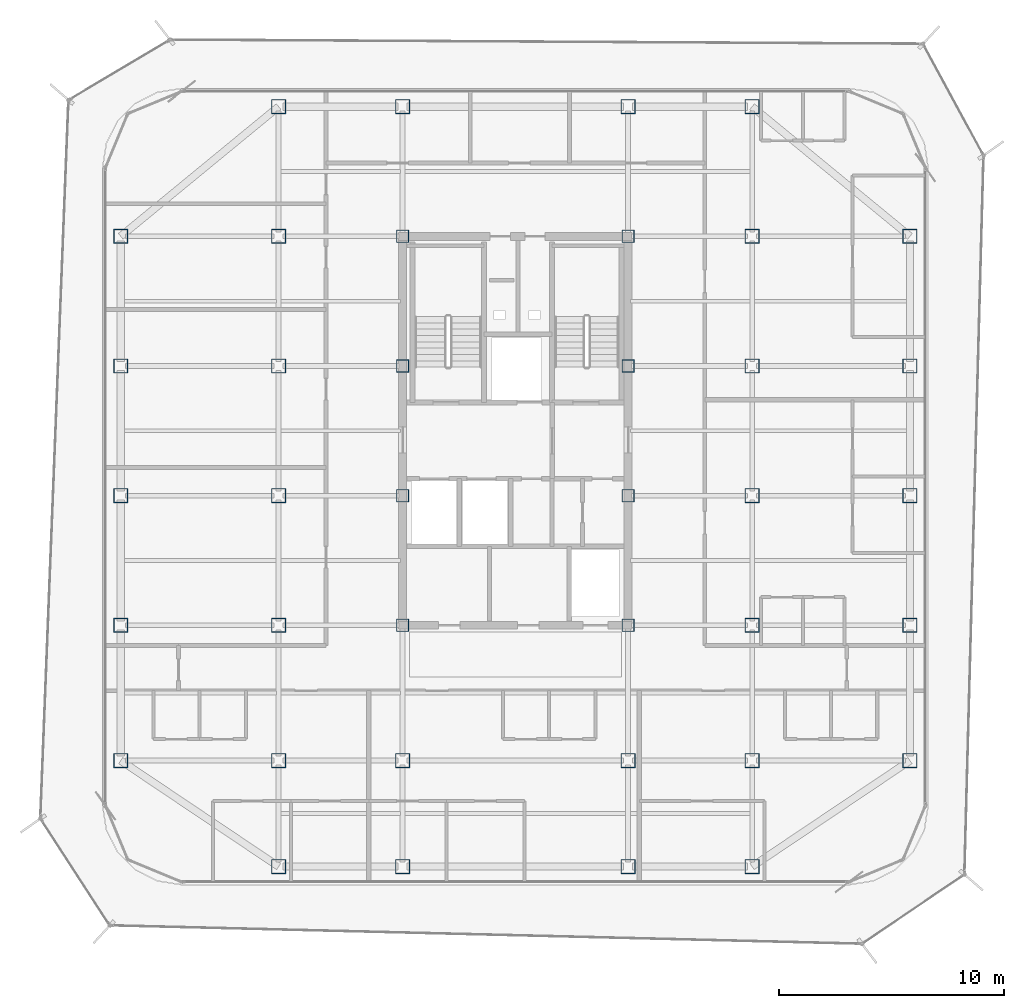
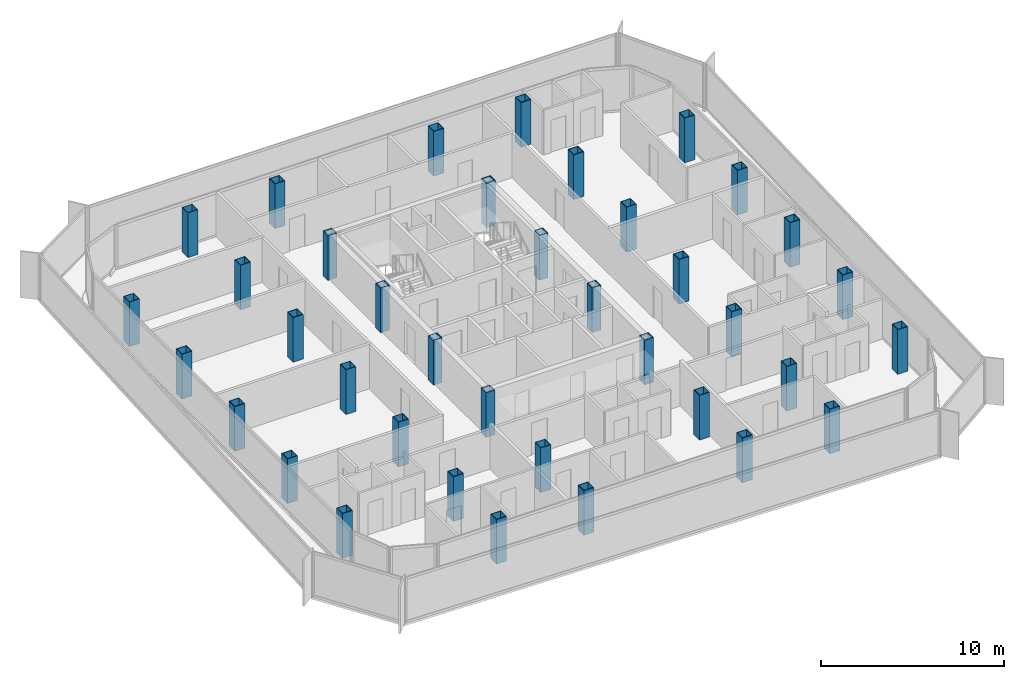
# One storey, part 1 of 15: 38 columns.
"""IFC4 building model written with IfcOpenShell, lengths in metres."""

from ifc_helpers import new_model, si_unit, direction, frame, origin, origin_2d, place, context, subcontext, project, spatial, hollow_rectangle, extrude, source, transform, mapped, material, material_profile, profile_set, type_object, element, save


model = new_model("IFC4")

# Units and contexts
model_context = context("Model", 3, precision=1e-05, world=origin(), true_north=direction((0.0, 1.0)))
body_context = subcontext(model_context, "Body", "Model", "MODEL_VIEW")
ifc_project = project(units=[si_unit("LENGTHUNIT", "METRE"), si_unit("AREAUNIT", "SQUARE_METRE"), si_unit("VOLUMEUNIT", "CUBIC_METRE"), si_unit("PLANEANGLEUNIT", "RADIAN"), si_unit("MASSUNIT", "GRAM", prefix="KILO")], contexts=[model_context])

# Site, building, storey
site_placement = place(None, origin())
site = spatial("IfcSite", under=ifc_project, at=site_placement, CompositionType="ELEMENT")
building_placement = place(site_placement, origin())
building = spatial("IfcBuilding", under=site, at=building_placement, Name="Kolveth Station Tower", CompositionType="ELEMENT")
storey_placement = place(building_placement, frame((0.0, 0.0, 252.10009765625)))
storey = spatial("IfcBuildingStorey", under=building, at=storey_placement, Name="L72", CompositionType="ELEMENT", Elevation=252.10009765625)

# Columns
ifc_material = material(Name="Steel S355", Category="steel")
ifc_material_profile_1 = material_profile(ifc_material, hollow_rectangle(XDim=0.639892578125, YDim=0.639892578125, WallThickness=0.034912109375, at=origin_2d()), Name="BOX640x640x35")
ifc_profile_set_1 = profile_set([ifc_material_profile_1], Name="Steel S355")
column_type_1 = type_object("IfcColumnType", Name="Col_C7", PredefinedType="COLUMN", material=ifc_profile_set_1)
shared_shape_1 = source(origin(), body_context, "Body", "SweptSolid", [
    extrude(hollow_rectangle(XDim=0.639892578125, YDim=0.639892578125, WallThickness=0.034912109375, at=origin_2d()), origin(), (0.0, 0.0, 1.0), 2.97998046875),
])
for number, where, z_axis, x_axis, name in (
    (1, (13.0, 0.800048828125, 0.0), (0.0, 0.0, 1.0), (1.0, 0.0, 0.0), "L72 Tower Column S-X130"),
    (2, (13.0, 34.5, 0.0), (0.0, 0.0, 1.0), (1.0, 0.0, 0.0), "L72 Tower Column N-X130"),
    (3, (18.5, 0.800048828125, 0.0), (0.0, 0.0, 1.0), (1.0, 0.0, 0.0), "L72 Tower Column S-X185"),
    (4, (18.5, 34.5, 0.0), (0.0, 0.0, 1.0), (1.0, 0.0, 0.0), "L72 Tower Column N-X185"),
    (5, (28.5, 0.800048828125, 0.0), (0.0, 0.0, 1.0), (1.0, 0.0, 0.0), "L72 Tower Column S-X285"),
    (6, (28.5, 34.5, 0.0), (0.0, 0.0, 1.0), (1.0, 0.0, 0.0), "L72 Tower Column N-X285"),
    (7, (34.0, 0.800048828125, 0.0), (0.0, 0.0, 1.0), (1.0, 0.0, 0.0), "L72 Tower Column S-X340"),
    (8, (34.0, 34.5, 0.0), (0.0, 0.0, 1.0), (1.0, 0.0, 0.0), "L72 Tower Column N-X340"),
    (9, (6.0, 5.5, 0.0), (0.0, 0.0, 1.0), (1.0, 0.0, 0.0), "L72 Tower Column W-Y55"),
    (10, (41.0, 5.5, 0.0), (0.0, 0.0, 1.0), (1.0, 0.0, 0.0), "L72 Tower Column E-Y55"),
    (11, (6.0, 11.5, 0.0), (0.0, 0.0, 1.0), (1.0, 0.0, 0.0), "L72 Tower Column W-Y115"),
    (12, (41.0, 11.5, 0.0), (0.0, 0.0, 1.0), (1.0, 0.0, 0.0), "L72 Tower Column E-Y115"),
    (13, (6.0, 17.25, 0.0), (0.0, 0.0, 1.0), (1.0, 0.0, 0.0), "L72 Tower Column W-Y172"),
    (14, (41.0, 17.25, 0.0), (0.0, 0.0, 1.0), (1.0, 0.0, 0.0), "L72 Tower Column E-Y172"),
    (15, (6.0, 23.0, 0.0), (0.0, 0.0, 1.0), (1.0, 0.0, 0.0), "L72 Tower Column W-Y230"),
    (16, (41.0, 23.0, 0.0), (0.0, 0.0, 1.0), (1.0, 0.0, 0.0), "L72 Tower Column E-Y230"),
    (17, (6.0, 28.75, 0.0), (0.0, 0.0, 1.0), (1.0, 0.0, 0.0), "L72 Tower Column W-Y287"),
    (18, (41.0, 28.75, 0.0), (0.0, 0.0, 1.0), (1.0, 0.0, 0.0), "L72 Tower Column E-Y287"),
    (19, (13.0, 5.5, 0.0), (0.0, 0.0, 1.0), (1.0, 0.0, 0.0), "L72 Tower Column G-130-55"),
    (20, (13.0, 11.5, 0.0), (0.0, 0.0, 1.0), (1.0, 0.0, 0.0), "L72 Tower Column G-130-115"),
    (21, (13.0, 17.25, 0.0), (0.0, 0.0, 1.0), (1.0, 0.0, 0.0), "L72 Tower Column G-130-172"),
    (22, (13.0, 23.0, 0.0), (0.0, 0.0, 1.0), (1.0, 0.0, 0.0), "L72 Tower Column G-130-230"),
    (23, (13.0, 28.75, 0.0), (0.0, 0.0, 1.0), (1.0, 0.0, 0.0), "L72 Tower Column G-130-287"),
    (24, (18.5, 5.5, 0.0), (0.0, 0.0, 1.0), (1.0, 0.0, 0.0), "L72 Tower Column G-185-55"),
    (25, (28.5, 5.5, 0.0), (0.0, 0.0, 1.0), (1.0, 0.0, 0.0), "L72 Tower Column G-285-55"),
    (26, (34.0, 5.5, 0.0), (0.0, 0.0, 1.0), (1.0, 0.0, 0.0), "L72 Tower Column G-340-55"),
    (27, (34.0, 11.5, 0.0), (0.0, 0.0, 1.0), (1.0, 0.0, 0.0), "L72 Tower Column G-340-115"),
    (28, (34.0, 17.25, 0.0), (0.0, 0.0, 1.0), (1.0, 0.0, 0.0), "L72 Tower Column G-340-172"),
    (29, (34.0, 23.0, 0.0), (0.0, 0.0, 1.0), (1.0, 0.0, 0.0), "L72 Tower Column G-340-230"),
    (30, (34.0, 28.75, 0.0), (0.0, 0.0, 1.0), (1.0, 0.0, 0.0), "L72 Tower Column G-340-287"),
):
    element("IfcColumn", number, at=place(storey_placement, frame(where, z_axis=z_axis, x_axis=x_axis)), inside=storey, type_object=column_type_1, Name=name, PredefinedType="COLUMN", context=body_context, shape_type="MappedRepresentation", body=[
        mapped(shared_shape_1, transform((0.0, 0.0, 0.0), x_axis=(1.0, 0.0, 0.0), y_axis=(0.0, 1.0, 0.0), z_axis=(0.0, 0.0, 1.0), scale=1.0)),
    ])
ifc_material_profile_2 = material_profile(ifc_material, hollow_rectangle(XDim=0.56005859375, YDim=0.56005859375, WallThickness=0.030029296875, at=origin_2d()), Name="BOX560x560x30")
ifc_profile_set_2 = profile_set([ifc_material_profile_2], Name="Steel S355")
column_type_2 = type_object("IfcColumnType", Name="Col_C8", PredefinedType="COLUMN", material=ifc_profile_set_2)
shared_shape_2 = source(origin(), body_context, "Body", "SweptSolid", [
    extrude(hollow_rectangle(XDim=0.56005859375, YDim=0.56005859375, WallThickness=0.030029296875, at=origin_2d()), origin(), (0.0, 0.0, 1.0), 2.97998046875),
])
for number, where, z_axis, x_axis, name in (
    (31, (18.5, 11.5, 0.0), (0.0, 0.0, 1.0), (1.0, 0.0, 0.0), "L72 Tower Column G-185-115"),
    (32, (18.5, 17.25, 0.0), (0.0, 0.0, 1.0), (1.0, 0.0, 0.0), "L72 Tower Column G-185-172"),
    (33, (18.5, 23.0, 0.0), (0.0, 0.0, 1.0), (1.0, 0.0, 0.0), "L72 Tower Column G-185-230"),
    (34, (18.5, 28.75, 0.0), (0.0, 0.0, 1.0), (1.0, 0.0, 0.0), "L72 Tower Column G-185-287"),
    (35, (28.5, 11.5, 0.0), (0.0, 0.0, 1.0), (1.0, 0.0, 0.0), "L72 Tower Column G-285-115"),
    (36, (28.5, 17.25, 0.0), (0.0, 0.0, 1.0), (1.0, 0.0, 0.0), "L72 Tower Column G-285-172"),
    (37, (28.5, 23.0, 0.0), (0.0, 0.0, 1.0), (1.0, 0.0, 0.0), "L72 Tower Column G-285-230"),
    (38, (28.5, 28.75, 0.0), (0.0, 0.0, 1.0), (1.0, 0.0, 0.0), "L72 Tower Column G-285-287"),
):
    element("IfcColumn", number, at=place(storey_placement, frame(where, z_axis=z_axis, x_axis=x_axis)), inside=storey, type_object=column_type_2, Name=name, PredefinedType="COLUMN", context=body_context, shape_type="MappedRepresentation", body=[
        mapped(shared_shape_2, transform((0.0, 0.0, 0.0), x_axis=(1.0, 0.0, 0.0), y_axis=(0.0, 1.0, 0.0), z_axis=(0.0, 0.0, 1.0), scale=1.0)),
    ])

save(model, "model.ifc")
